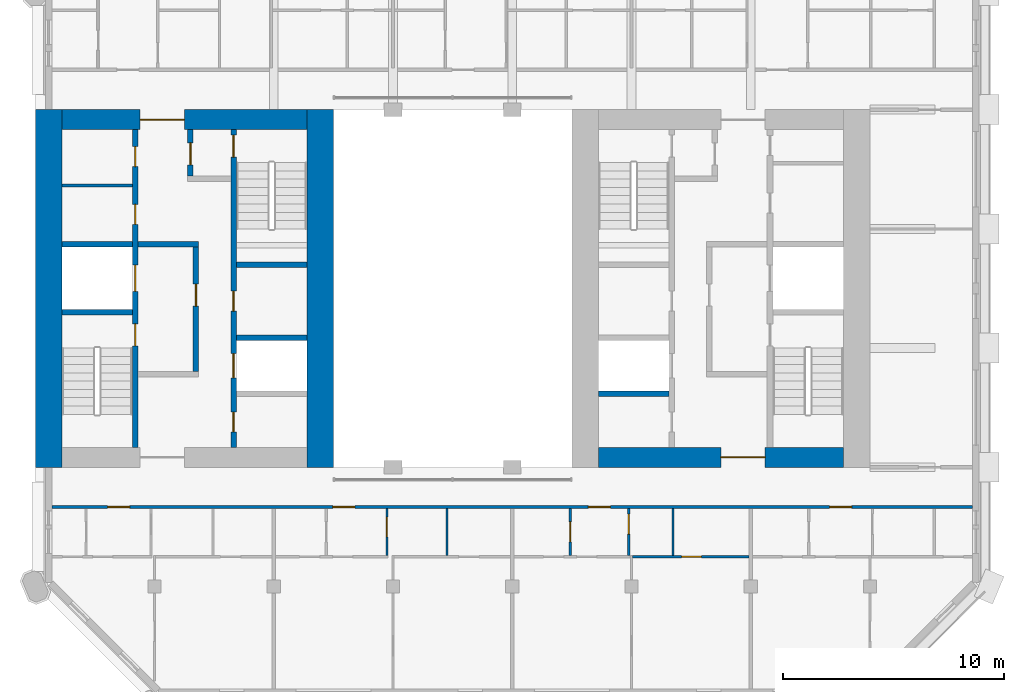
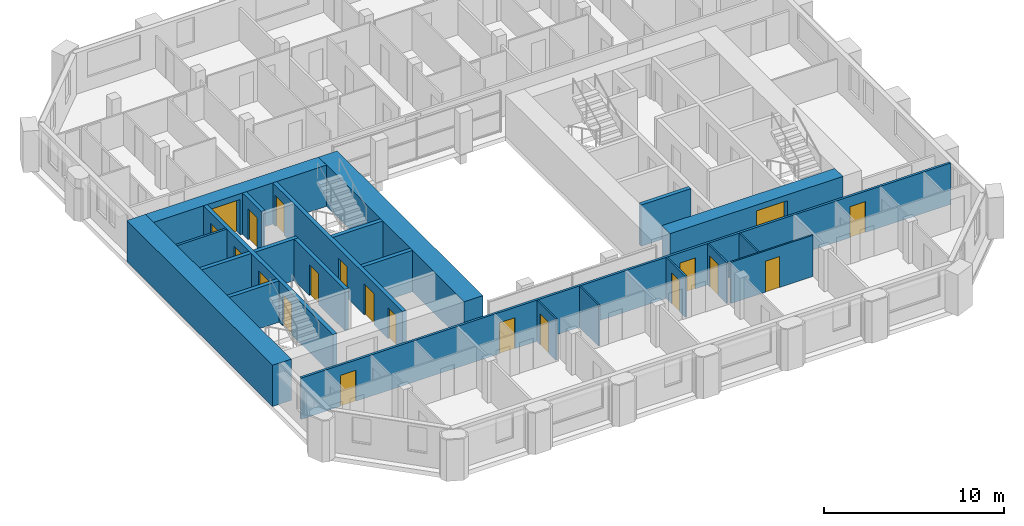
# One storey, part 5 of 13: 22 walls, 20 doors, 20 openings.
"""IFC4 building model written with IfcOpenShell, lengths in metres."""

from ifc_helpers import new_model, si_unit, direction, frame, frame_2d, origin, place, context, subcontext, project, spatial, rectangle, extrude, material, layer, layer_set, type_object, element, fill, save


model = new_model("IFC4")

# Units and contexts
model_context = context("Model", 3, precision=1e-05, world=origin(), true_north=direction((0.0, 1.0)))
body_context = subcontext(model_context, "Body", "Model", "MODEL_VIEW")
ifc_project = project(units=[si_unit("LENGTHUNIT", "METRE"), si_unit("AREAUNIT", "SQUARE_METRE"), si_unit("VOLUMEUNIT", "CUBIC_METRE"), si_unit("PLANEANGLEUNIT", "RADIAN"), si_unit("MASSUNIT", "GRAM", prefix="KILO")], contexts=[model_context])

# Site, building, storey
site_placement = place(None, origin())
site = spatial("IfcSite", under=ifc_project, at=site_placement, CompositionType="ELEMENT")
building_placement = place(site_placement, origin())
building = spatial("IfcBuilding", under=site, at=building_placement, Name="Tabaq Tower and Sports Hall", CompositionType="ELEMENT")
storey_placement = place(building_placement, frame((0.0, 0.0, 304.89990234375)))
storey = spatial("IfcBuildingStorey", under=building, at=storey_placement, Name="L76", CompositionType="ELEMENT", Elevation=304.89990234375)

# Walls
ifc_material_1 = material(Name="Blockwork", Category="masonry")
ifc_layer_1 = layer(ifc_material_1, 0.14990234375)
ifc_layer_set_1 = layer_set([ifc_layer_1], Name="Core room partition 150 Blockwork")
wall_type_1 = type_object("IfcWallType", Name="Core room partition 150 Blockwork", PredefinedType="PARTITIONING", material=ifc_layer_set_1)
wall_1_placement = place(storey_placement, frame((6.60009765625, 28.962890625, 0.0), z_axis=(0.0, 0.0, 1.0), x_axis=(1.0, 0.0, 0.0)))
element("IfcWall", 1, at=wall_1_placement, inside=storey, type_object=wall_type_1, Name="Core room partition W L76", PredefinedType="PARTITIONING", context=body_context, shape_type="SweptSolid", body=[
    extrude(rectangle(XDim=3.199951171875, YDim=0.14990234375, at=frame_2d((1.60009765625, 0.0))), origin(), (0.0, 0.0, 1.0), 2.800048828125),
])
ifc_material_2 = material(Name="Concrete C40/50", Category="concrete")
ifc_layer_2 = layer(ifc_material_2, 1.199951171875)
ifc_layer_set_2 = layer_set([ifc_layer_2], Name="Core wall 1200 Concrete C40/50")
wall_type_2 = type_object("IfcWallType", Name="Core wall 1200 Concrete C40/50", PredefinedType="SOLIDWALL", material=ifc_layer_set_2)
for number, where, z_axis, x_axis, name in (
    (2, (6.0, 16.199951171875, 0.0), (0.0, 0.0, 1.0), (0.0, 1.0, 0.0), "Core wall W L76"),
    (3, (18.300048828125, 32.39990234375, 0.0), (0.0, 0.0, 1.0), (0.0, -1.0, 0.0), "Core wall W L76"),
):
    element("IfcWall", number, at=place(storey_placement, frame(where, z_axis=z_axis, x_axis=x_axis)), inside=storey, type_object=wall_type_2, Name=name, PredefinedType="SOLIDWALL", context=body_context, shape_type="SweptSolid", body=[
        extrude(rectangle(XDim=16.199951171875, YDim=1.199951171875, at=frame_2d((8.10009765625, 0.0))), origin(), (0.0, 0.0, 1.0), 2.800048828125),
    ])

# Wall, opening, door
ifc_material_3 = material(Name="Concrete C40/50", Category="concrete")
ifc_layer_3 = layer(ifc_material_3, 0.89990234375)
ifc_layer_set_3 = layer_set([ifc_layer_3], Name="Core wall 900 Concrete C40/50")
wall_type_3 = type_object("IfcWallType", Name="Core wall 900 Concrete C40/50", PredefinedType="SOLIDWALL", material=ifc_layer_set_3)
wall_2_placement = place(storey_placement, frame((6.60009765625, 31.949951171875, 0.0), z_axis=(0.0, 0.0, 1.0), x_axis=(1.0, 0.0, 0.0)))
wall_2 = element("IfcWall", 4, at=wall_2_placement, inside=storey, type_object=wall_type_3, Name="Core wall W L76", PredefinedType="SOLIDWALL", context=body_context, shape_type="SweptSolid", body=[
    extrude(rectangle(XDim=11.099853515625, YDim=0.89990234375, at=frame_2d((5.5498046875, 0.0))), origin(), (0.0, 0.0, 1.0), 2.800048828125),
])
opening_1_placement = place(wall_2_placement, frame((3.550048828125, 0.0, 0.0)))
opening_1 = element("IfcOpeningElement", 5, at=opening_1_placement, cuts=wall_2, Name="Opening PD-WL76-02", PredefinedType="OPENING", context=body_context, shape_type="SweptSolid", body=[
    extrude(rectangle(XDim=2.0, YDim=2.39990234375, at=frame_2d((1.0, 1.199951171875))), frame((0.0, 0.449951171875, 0.0), z_axis=(0.0, -1.0, 0.0), x_axis=(1.0, 0.0, 0.0)), (0.0, 0.0, 1.0), 0.89990234375),
])
ifc_material_4 = material(Name="Steel fire door", Category="steel")
door_type_1 = type_object("IfcDoorType", Name="Core entrance door 2000", OperationType="DOUBLE_DOOR_SINGLE_SWING", PredefinedType="DOOR", material=ifc_material_4)
door_1_placement = place(opening_1_placement, origin())
door_1 = element("IfcDoor", 6, at=door_1_placement, inside=storey, type_object=door_type_1, Name="Core entrance north W L76", OperationType="DOUBLE_DOOR_SINGLE_SWING", OverallHeight=2.39990234375, OverallWidth=2.0, PredefinedType="DOOR", context=body_context, shape_type="SweptSolid", body=[
    extrude(rectangle(XDim=2.0, YDim=2.39990234375, at=frame_2d((1.0, 1.199951171875))), frame((0.0, 0.02490234375, 0.0), z_axis=(0.0, -1.0, 0.0), x_axis=(1.0, 0.0, 0.0)), (0.0, 0.0, 1.0), 0.050048828125),
])
fill(opening_1, door_1)

wall_3_placement = place(storey_placement, frame((42.0, 16.64990234375, 0.0), z_axis=(0.0, 0.0, 1.0), x_axis=(-1.0, 0.0, 0.0)))
wall_3 = element("IfcWall", 7, at=wall_3_placement, inside=storey, type_object=wall_type_3, Name="Core wall E L76", PredefinedType="SOLIDWALL", context=body_context, shape_type="SweptSolid", body=[
    extrude(rectangle(XDim=11.10009765625, YDim=0.89990234375, at=frame_2d((5.550048828125, 0.0))), origin(), (0.0, 0.0, 1.0), 2.800048828125),
])
opening_2_placement = place(wall_3_placement, frame((3.550048828125, 0.0, 0.0)))
opening_2 = element("IfcOpeningElement", 8, at=opening_2_placement, cuts=wall_3, Name="Opening PD-EL76-01", PredefinedType="OPENING", context=body_context, shape_type="SweptSolid", body=[
    extrude(rectangle(XDim=2.0, YDim=2.39990234375, at=frame_2d((1.0, 1.199951171875))), frame((0.0, 0.449951171875, 0.0), z_axis=(0.0, -1.0, 0.0), x_axis=(1.0, 0.0, 0.0)), (0.0, 0.0, 1.0), 0.89990234375),
])
door_2_placement = place(opening_2_placement, origin())
door_2 = element("IfcDoor", 9, at=door_2_placement, inside=storey, type_object=door_type_1, Name="Core entrance south E L76", OperationType="DOUBLE_DOOR_SINGLE_SWING", OverallHeight=2.39990234375, OverallWidth=2.0, PredefinedType="DOOR", context=body_context, shape_type="SweptSolid", body=[
    extrude(rectangle(XDim=2.0, YDim=2.39990234375, at=frame_2d((1.0, 1.199951171875))), frame((0.0, 0.02490234375, 0.0), z_axis=(0.0, -1.0, 0.0), x_axis=(1.0, 0.0, 0.0)), (0.0, 0.0, 1.0), 0.050048828125),
])
fill(opening_2, door_2)

ifc_material_5 = material(Name="Gypsum board on steel studs", Category="steel")
ifc_layer_4 = layer(ifc_material_5, 0.10009765625)
ifc_layer_set_4 = layer_set([ifc_layer_4], Name="Partition 100 Gypsum board")
wall_type_4 = type_object("IfcWallType", Name="Partition 100 Gypsum board", PredefinedType="PARTITIONING", material=ifc_layer_set_4)
wall_4_placement = place(storey_placement, frame((21.322021484375, 12.199951171875, 0.0), z_axis=(0.0, 0.0, 1.0), x_axis=(0.0, 1.0, 0.0)))
wall_4 = element("IfcWall", 10, at=wall_4_placement, inside=storey, type_object=wall_type_4, Name="Partition wall L76", PredefinedType="PARTITIONING", context=body_context, shape_type="SweptSolid", body=[
    extrude(rectangle(XDim=2.125, YDim=0.10009765625, at=frame_2d((1.0625, 0.0))), origin(), (0.0, 0.0, 1.0), 2.800048828125),
])
opening_3_placement = place(wall_4_placement, frame((0.843994140625, 0.0, 0.0)))
opening_3 = element("IfcOpeningElement", 11, at=opening_3_placement, cuts=wall_4, Name="Opening L76-022", PredefinedType="OPENING", context=body_context, shape_type="SweptSolid", body=[
    extrude(rectangle(XDim=0.89990234375, YDim=2.10009765625, at=frame_2d((0.449951171875, 1.050048828125))), frame((0.0, 0.050048828125, 0.0), z_axis=(0.0, -1.0, 0.0), x_axis=(1.0, 0.0, 0.0)), (0.0, 0.0, 1.0), 0.10009765625),
])
ifc_material_6 = material(Name="Timber leaf in steel frame", Category="steel")
door_type_2 = type_object("IfcDoorType", Name="Internal door 900 left hand", OperationType="SINGLE_SWING_LEFT", PredefinedType="DOOR", material=ifc_material_6)
door_3_placement = place(opening_3_placement, origin())
door_3 = element("IfcDoor", 12, at=door_3_placement, inside=storey, type_object=door_type_2, Name="Internal door L76-022", OperationType="SINGLE_SWING_LEFT", OverallHeight=2.10009765625, OverallWidth=0.89990234375, PredefinedType="DOOR", context=body_context, shape_type="SweptSolid", body=[
    extrude(rectangle(XDim=0.89990234375, YDim=2.10009765625, at=frame_2d((0.449951171875, 1.050048828125))), frame((0.0, 0.02490234375, 0.0), z_axis=(0.0, -1.0, 0.0), x_axis=(1.0, 0.0, 0.0)), (0.0, 0.0, 1.0), 0.050048828125),
])
fill(opening_3, door_3)

# Wall
wall_5_placement = place(storey_placement, frame((24.050048828125, 12.199951171875, 0.0), z_axis=(0.0, 0.0, 1.0), x_axis=(0.0, 1.0, 0.0)))
element("IfcWall", 13, at=wall_5_placement, inside=storey, type_object=wall_type_4, Name="Partition wall L76", PredefinedType="PARTITIONING", context=body_context, shape_type="SweptSolid", body=[
    extrude(rectangle(XDim=2.125, YDim=0.10009765625, at=frame_2d((1.0625, 0.0))), origin(), (0.0, 0.0, 1.0), 2.800048828125),
])

# Wall, opening, door
wall_6_placement = place(storey_placement, frame((37.72509765625, 12.14990234375, 0.0), z_axis=(0.0, 0.0, 1.0), x_axis=(-1.0, 0.0, 0.0)))
wall_6 = element("IfcWall", 14, at=wall_6_placement, inside=storey, type_object=wall_type_4, Name="Partition wall L76", PredefinedType="PARTITIONING", context=body_context, shape_type="SweptSolid", body=[
    extrude(rectangle(XDim=5.275146484375, YDim=0.10009765625, at=frame_2d((2.6376953125, 0.0))), origin(), (0.0, 0.0, 1.0), 2.800048828125),
])
opening_4_placement = place(wall_6_placement, frame((2.155029296875, 0.0, 0.0)))
opening_4 = element("IfcOpeningElement", 15, at=opening_4_placement, cuts=wall_6, Name="Opening L76-023", PredefinedType="OPENING", context=body_context, shape_type="SweptSolid", body=[
    extrude(rectangle(XDim=0.89990234375, YDim=2.10009765625, at=frame_2d((0.449951171875, 1.050048828125))), frame((0.0, 0.050048828125, 0.0), z_axis=(0.0, -1.0, 0.0), x_axis=(1.0, 0.0, 0.0)), (0.0, 0.0, 1.0), 0.10009765625),
])
door_4_placement = place(opening_4_placement, origin())
door_4 = element("IfcDoor", 16, at=door_4_placement, inside=storey, type_object=door_type_2, Name="Internal door L76-023", OperationType="SINGLE_SWING_LEFT", OverallHeight=2.10009765625, OverallWidth=0.89990234375, PredefinedType="DOOR", context=body_context, shape_type="SweptSolid", body=[
    extrude(rectangle(XDim=0.89990234375, YDim=2.10009765625, at=frame_2d((0.449951171875, 1.050048828125))), frame((0.0, 0.02490234375, 0.0), z_axis=(0.0, -1.0, 0.0), x_axis=(1.0, 0.0, 0.0)), (0.0, 0.0, 1.0), 0.050048828125),
])
fill(opening_4, door_4)

wall_7_placement = place(storey_placement, frame((29.625, 12.199951171875, 0.0), z_axis=(0.0, 0.0, 1.0), x_axis=(0.0, 1.0, 0.0)))
wall_7 = element("IfcWall", 17, at=wall_7_placement, inside=storey, type_object=wall_type_4, Name="Partition wall L76", PredefinedType="PARTITIONING", context=body_context, shape_type="SweptSolid", body=[
    extrude(rectangle(XDim=2.125, YDim=0.10009765625, at=frame_2d((1.0625, 0.0))), origin(), (0.0, 0.0, 1.0), 2.800048828125),
])
opening_5_placement = place(wall_7_placement, frame((0.625, 0.0, 0.0)))
opening_5 = element("IfcOpeningElement", 18, at=opening_5_placement, cuts=wall_7, Name="Opening L76-047", PredefinedType="OPENING", context=body_context, shape_type="SweptSolid", body=[
    extrude(rectangle(XDim=0.89990234375, YDim=2.10009765625, at=frame_2d((0.449951171875, 1.050048828125))), frame((0.0, 0.050048828125, 0.0), z_axis=(0.0, -1.0, 0.0), x_axis=(1.0, 0.0, 0.0)), (0.0, 0.0, 1.0), 0.10009765625),
])
ifc_material_7 = material(Name="Timber leaf in steel frame", Category="steel")
door_type_3 = type_object("IfcDoorType", Name="Internal door 900 right hand", OperationType="SINGLE_SWING_RIGHT", PredefinedType="DOOR", material=ifc_material_7)
door_5_placement = place(opening_5_placement, origin())
door_5 = element("IfcDoor", 19, at=door_5_placement, inside=storey, type_object=door_type_3, Name="Internal door L76-047", OperationType="SINGLE_SWING_RIGHT", OverallHeight=2.10009765625, OverallWidth=0.89990234375, PredefinedType="DOOR", context=body_context, shape_type="SweptSolid", body=[
    extrude(rectangle(XDim=0.89990234375, YDim=2.10009765625, at=frame_2d((0.449951171875, 1.050048828125))), frame((0.0, 0.02490234375, 0.0), z_axis=(0.0, -1.0, 0.0), x_axis=(1.0, 0.0, 0.0)), (0.0, 0.0, 1.0), 0.050048828125),
])
fill(opening_5, door_5)

wall_8_placement = place(storey_placement, frame((32.27490234375, 12.199951171875, 0.0), z_axis=(0.0, 0.0, 1.0), x_axis=(0.0, 1.0, 0.0)))
wall_8 = element("IfcWall", 20, at=wall_8_placement, inside=storey, type_object=wall_type_4, Name="Partition wall L76", PredefinedType="PARTITIONING", context=body_context, shape_type="SweptSolid", body=[
    extrude(rectangle(XDim=2.125, YDim=0.10009765625, at=frame_2d((1.0625, 0.0))), origin(), (0.0, 0.0, 1.0), 2.800048828125),
])
opening_6_placement = place(wall_8_placement, frame((0.97509765625, 0.0, 0.0)))
opening_6 = element("IfcOpeningElement", 21, at=opening_6_placement, cuts=wall_8, Name="Opening L76-024", PredefinedType="OPENING", context=body_context, shape_type="SweptSolid", body=[
    extrude(rectangle(XDim=0.89990234375, YDim=2.10009765625, at=frame_2d((0.449951171875, 1.050048828125))), frame((0.0, 0.050048828125, 0.0), z_axis=(0.0, -1.0, 0.0), x_axis=(1.0, 0.0, 0.0)), (0.0, 0.0, 1.0), 0.10009765625),
])
door_6_placement = place(opening_6_placement, origin())
door_6 = element("IfcDoor", 22, at=door_6_placement, inside=storey, type_object=door_type_3, Name="Internal door L76-024", OperationType="SINGLE_SWING_RIGHT", OverallHeight=2.10009765625, OverallWidth=0.89990234375, PredefinedType="DOOR", context=body_context, shape_type="SweptSolid", body=[
    extrude(rectangle(XDim=0.89990234375, YDim=2.10009765625, at=frame_2d((0.449951171875, 1.050048828125))), frame((0.0, 0.02490234375, 0.0), z_axis=(0.0, -1.0, 0.0), x_axis=(1.0, 0.0, 0.0)), (0.0, 0.0, 1.0), 0.050048828125),
])
fill(opening_6, door_6)

# Wall
wall_9_placement = place(storey_placement, frame((34.285888671875, 12.199951171875, 0.0), z_axis=(0.0, 0.0, 1.0), x_axis=(0.0, 1.0, 0.0)))
element("IfcWall", 23, at=wall_9_placement, inside=storey, type_object=wall_type_4, Name="Partition wall L76", PredefinedType="PARTITIONING", context=body_context, shape_type="SweptSolid", body=[
    extrude(rectangle(XDim=2.125, YDim=0.10009765625, at=frame_2d((1.0625, 0.0))), origin(), (0.0, 0.0, 1.0), 2.800048828125),
])

# Wall, openings, doors
ifc_material_8 = material(Name="Blockwork", Category="masonry")
ifc_layer_5 = layer(ifc_material_8, 0.14990234375)
ifc_layer_set_5 = layer_set([ifc_layer_5], Name="Separating wall 150 Blockwork")
wall_type_5 = type_object("IfcWallType", Name="Separating wall 150 Blockwork", PredefinedType="PARTITIONING", material=ifc_layer_set_5)
wall_10_placement = place(storey_placement, frame((47.84912109375, 14.39990234375, 0.0), z_axis=(0.0, 0.0, 1.0), x_axis=(-1.0, 0.0, 0.0)))
wall_10 = element("IfcWall", 24, at=wall_10_placement, inside=storey, type_object=wall_type_5, Name="Separating wall L76", PredefinedType="PARTITIONING", context=body_context, shape_type="SweptSolid", body=[
    extrude(rectangle(XDim=41.6982421875, YDim=0.14990234375, at=frame_2d((20.84912109375, 0.0))), origin(), (0.0, 0.0, 1.0), 2.800048828125),
])
opening_7_placement = place(wall_10_placement, frame((38.178955078125, 0.0, 0.0)))
opening_7 = element("IfcOpeningElement", 25, at=opening_7_placement, cuts=wall_10, Name="Opening L76-060", PredefinedType="OPENING", context=body_context, shape_type="SweptSolid", body=[
    extrude(rectangle(XDim=1.0, YDim=2.10009765625, at=frame_2d((0.5, 1.050048828125))), frame((0.0, 0.074951171875, 0.0), z_axis=(0.0, -1.0, 0.0), x_axis=(1.0, 0.0, 0.0)), (0.0, 0.0, 1.0), 0.14990234375),
])
opening_8_placement = place(wall_10_placement, frame((27.97705078125, 0.0, 0.0)))
opening_8 = element("IfcOpeningElement", 26, at=opening_8_placement, cuts=wall_10, Name="Opening L76-061", PredefinedType="OPENING", context=body_context, shape_type="SweptSolid", body=[
    extrude(rectangle(XDim=1.0, YDim=2.10009765625, at=frame_2d((0.5, 1.050048828125))), frame((0.0, 0.074951171875, 0.0), z_axis=(0.0, -1.0, 0.0), x_axis=(1.0, 0.0, 0.0)), (0.0, 0.0, 1.0), 0.14990234375),
])
opening_9_placement = place(wall_10_placement, frame((16.39892578125, 0.0, 0.0)))
opening_9 = element("IfcOpeningElement", 27, at=opening_9_placement, cuts=wall_10, Name="Opening L76-062", PredefinedType="OPENING", context=body_context, shape_type="SweptSolid", body=[
    extrude(rectangle(XDim=1.0, YDim=2.10009765625, at=frame_2d((0.5, 1.050048828125))), frame((0.0, 0.074951171875, 0.0), z_axis=(0.0, -1.0, 0.0), x_axis=(1.0, 0.0, 0.0)), (0.0, 0.0, 1.0), 0.14990234375),
])
opening_10_placement = place(wall_10_placement, frame((5.47607421875, 0.0, 0.0)))
opening_10 = element("IfcOpeningElement", 28, at=opening_10_placement, cuts=wall_10, Name="Opening L76-063", PredefinedType="OPENING", context=body_context, shape_type="SweptSolid", body=[
    extrude(rectangle(XDim=1.0, YDim=2.10009765625, at=frame_2d((0.5, 1.050048828125))), frame((0.0, 0.074951171875, 0.0), z_axis=(0.0, -1.0, 0.0), x_axis=(1.0, 0.0, 0.0)), (0.0, 0.0, 1.0), 0.14990234375),
])
ifc_material_9 = material(Name="Steel fire door", Category="steel")
door_type_4 = type_object("IfcDoorType", Name="Entrance door 1000 left hand", OperationType="SINGLE_SWING_LEFT", PredefinedType="DOOR", material=ifc_material_9)
door_7_placement = place(opening_9_placement, origin())
door_7 = element("IfcDoor", 29, at=door_7_placement, inside=storey, type_object=door_type_4, Name="Entrance door L76-062", OperationType="SINGLE_SWING_LEFT", OverallHeight=2.10009765625, OverallWidth=1.0, PredefinedType="DOOR", context=body_context, shape_type="SweptSolid", body=[
    extrude(rectangle(XDim=1.0, YDim=2.10009765625, at=frame_2d((0.5, 1.050048828125))), frame((0.0, 0.02490234375, 0.0), z_axis=(0.0, -1.0, 0.0), x_axis=(1.0, 0.0, 0.0)), (0.0, 0.0, 1.0), 0.050048828125),
])
fill(opening_9, door_7)
door_8_placement = place(opening_10_placement, origin())
door_8 = element("IfcDoor", 30, at=door_8_placement, inside=storey, type_object=door_type_4, Name="Entrance door L76-063", OperationType="SINGLE_SWING_LEFT", OverallHeight=2.10009765625, OverallWidth=1.0, PredefinedType="DOOR", context=body_context, shape_type="SweptSolid", body=[
    extrude(rectangle(XDim=1.0, YDim=2.10009765625, at=frame_2d((0.5, 1.050048828125))), frame((0.0, 0.02490234375, 0.0), z_axis=(0.0, -1.0, 0.0), x_axis=(1.0, 0.0, 0.0)), (0.0, 0.0, 1.0), 0.050048828125),
])
fill(opening_10, door_8)
ifc_material_10 = material(Name="Steel fire door", Category="steel")
door_type_5 = type_object("IfcDoorType", Name="Entrance door 1000 right hand", OperationType="SINGLE_SWING_RIGHT", PredefinedType="DOOR", material=ifc_material_10)
door_9_placement = place(opening_7_placement, origin())
door_9 = element("IfcDoor", 31, at=door_9_placement, inside=storey, type_object=door_type_5, Name="Entrance door L76-060", OperationType="SINGLE_SWING_RIGHT", OverallHeight=2.10009765625, OverallWidth=1.0, PredefinedType="DOOR", context=body_context, shape_type="SweptSolid", body=[
    extrude(rectangle(XDim=1.0, YDim=2.10009765625, at=frame_2d((0.5, 1.050048828125))), frame((0.0, 0.02490234375, 0.0), z_axis=(0.0, -1.0, 0.0), x_axis=(1.0, 0.0, 0.0)), (0.0, 0.0, 1.0), 0.050048828125),
])
fill(opening_7, door_9)
door_10_placement = place(opening_8_placement, origin())
door_10 = element("IfcDoor", 32, at=door_10_placement, inside=storey, type_object=door_type_5, Name="Entrance door L76-061", OperationType="SINGLE_SWING_RIGHT", OverallHeight=2.10009765625, OverallWidth=1.0, PredefinedType="DOOR", context=body_context, shape_type="SweptSolid", body=[
    extrude(rectangle(XDim=1.0, YDim=2.10009765625, at=frame_2d((0.5, 1.050048828125))), frame((0.0, 0.02490234375, 0.0), z_axis=(0.0, -1.0, 0.0), x_axis=(1.0, 0.0, 0.0)), (0.0, 0.0, 1.0), 0.050048828125),
])
fill(opening_8, door_10)

ifc_material_11 = material(Name="Concrete C40/50", Category="concrete")
ifc_layer_6 = layer(ifc_material_11, 0.25)
ifc_layer_set_6 = layer_set([ifc_layer_6], Name="Shaft and stair wall 250 Concrete C40/50")
wall_type_6 = type_object("IfcWallType", Name="Shaft and stair wall 250 Concrete C40/50", PredefinedType="SOLIDWALL", material=ifc_layer_set_6)
wall_11_placement = place(storey_placement, frame((9.925048828125, 17.10009765625, 0.0), z_axis=(0.0, 0.0, 1.0), x_axis=(0.0, 1.0, 0.0)))
wall_11 = element("IfcWall", 33, at=wall_11_placement, inside=storey, type_object=wall_type_6, Name="Shaft wall W L76", PredefinedType="SOLIDWALL", context=body_context, shape_type="SweptSolid", body=[
    extrude(rectangle(XDim=14.39990234375, YDim=0.25, at=frame_2d((7.199951171875, 0.0))), origin(), (0.0, 0.0, 1.0), 2.800048828125),
])
opening_11_placement = place(wall_11_placement, frame((4.60009765625, 0.0, 0.0)))
opening_11 = element("IfcOpeningElement", 34, at=opening_11_placement, cuts=wall_11, Name="Opening SD-WL76-03", PredefinedType="OPENING", context=body_context, shape_type="SweptSolid", body=[
    extrude(rectangle(XDim=1.0, YDim=2.10009765625, at=frame_2d((0.5, 1.050048828125))), frame((0.0, 0.125, 0.0), z_axis=(0.0, -1.0, 0.0), x_axis=(1.0, 0.0, 0.0)), (0.0, 0.0, 1.0), 0.25),
])
opening_12_placement = place(wall_11_placement, frame((7.0625, 0.0, 0.0)))
opening_12 = element("IfcOpeningElement", 35, at=opening_12_placement, cuts=wall_11, Name="Opening LD-FF1-L76", PredefinedType="OPENING", context=body_context, shape_type="SweptSolid", body=[
    extrude(rectangle(XDim=1.199951171875, YDim=2.10009765625, at=frame_2d((0.60009765625, 1.050048828125))), frame((0.0, 0.125, 0.0), z_axis=(0.0, -1.0, 0.0), x_axis=(1.0, 0.0, 0.0)), (0.0, 0.0, 1.0), 0.25),
])
opening_13_placement = place(wall_11_placement, frame((10.1064453125, 0.0, 0.0)))
opening_13 = element("IfcOpeningElement", 36, at=opening_13_placement, cuts=wall_11, Name="Opening RD-WL76-09", PredefinedType="OPENING", context=body_context, shape_type="SweptSolid", body=[
    extrude(rectangle(XDim=0.89990234375, YDim=2.10009765625, at=frame_2d((0.449951171875, 1.050048828125))), frame((0.0, 0.125, 0.0), z_axis=(0.0, -1.0, 0.0), x_axis=(1.0, 0.0, 0.0)), (0.0, 0.0, 1.0), 0.25),
])
opening_14_placement = place(wall_11_placement, frame((12.718994140625, 0.0, 0.0)))
opening_14 = element("IfcOpeningElement", 37, at=opening_14_placement, cuts=wall_11, Name="Opening RD-WL76-10", PredefinedType="OPENING", context=body_context, shape_type="SweptSolid", body=[
    extrude(rectangle(XDim=0.89990234375, YDim=2.10009765625, at=frame_2d((0.449951171875, 1.050048828125))), frame((0.0, 0.125, 0.0), z_axis=(0.0, -1.0, 0.0), x_axis=(1.0, 0.0, 0.0)), (0.0, 0.0, 1.0), 0.25),
])
ifc_material_12 = material(Name="Steel fire door", Category="steel")
door_type_6 = type_object("IfcDoorType", Name="Core room door 900", OperationType="SINGLE_SWING_LEFT", PredefinedType="DOOR", material=ifc_material_12)
door_11_placement = place(opening_13_placement, origin())
door_11 = element("IfcDoor", 38, at=door_11_placement, inside=storey, type_object=door_type_6, Name="Door Electrical Room W L76", OperationType="SINGLE_SWING_LEFT", OverallHeight=2.10009765625, OverallWidth=0.89990234375, PredefinedType="DOOR", context=body_context, shape_type="SweptSolid", body=[
    extrude(rectangle(XDim=0.89990234375, YDim=2.10009765625, at=frame_2d((0.449951171875, 1.050048828125))), frame((0.0, 0.02490234375, 0.0), z_axis=(0.0, -1.0, 0.0), x_axis=(1.0, 0.0, 0.0)), (0.0, 0.0, 1.0), 0.050048828125),
])
fill(opening_13, door_11)
door_12_placement = place(opening_14_placement, origin())
door_12 = element("IfcDoor", 39, at=door_12_placement, inside=storey, type_object=door_type_6, Name="Door Comms Room W L76", OperationType="SINGLE_SWING_LEFT", OverallHeight=2.10009765625, OverallWidth=0.89990234375, PredefinedType="DOOR", context=body_context, shape_type="SweptSolid", body=[
    extrude(rectangle(XDim=0.89990234375, YDim=2.10009765625, at=frame_2d((0.449951171875, 1.050048828125))), frame((0.0, 0.02490234375, 0.0), z_axis=(0.0, -1.0, 0.0), x_axis=(1.0, 0.0, 0.0)), (0.0, 0.0, 1.0), 0.050048828125),
])
fill(opening_14, door_12)
ifc_material_13 = material(Name="Stainless steel", Category="steel")
door_type_7 = type_object("IfcDoorType", Name="Lift landing door 1200", OperationType="DOUBLE_DOOR_SLIDING", PredefinedType="DOOR", material=ifc_material_13)
door_13_placement = place(opening_12_placement, origin())
door_13 = element("IfcDoor", 40, at=door_13_placement, inside=storey, type_object=door_type_7, Name="Lift landing door FF1 W L76", OperationType="DOUBLE_DOOR_SLIDING", OverallHeight=2.10009765625, OverallWidth=1.199951171875, PredefinedType="DOOR", context=body_context, shape_type="SweptSolid", body=[
    extrude(rectangle(XDim=1.199951171875, YDim=2.10009765625, at=frame_2d((0.60009765625, 1.050048828125))), frame((0.0, 0.02490234375, 0.0), z_axis=(0.0, -1.0, 0.0), x_axis=(1.0, 0.0, 0.0)), (0.0, 0.0, 1.0), 0.050048828125),
])
fill(opening_12, door_13)
ifc_material_14 = material(Name="Steel fire door", Category="steel")
door_type_8 = type_object("IfcDoorType", Name="Stair door 1000", OperationType="SINGLE_SWING_LEFT", PredefinedType="DOOR", material=ifc_material_14)
door_14_placement = place(opening_11_placement, origin())
door_14 = element("IfcDoor", 41, at=door_14_placement, inside=storey, type_object=door_type_8, Name="Stair door ST1 W L76", OperationType="SINGLE_SWING_LEFT", OverallHeight=2.10009765625, OverallWidth=1.0, PredefinedType="DOOR", context=body_context, shape_type="SweptSolid", body=[
    extrude(rectangle(XDim=1.0, YDim=2.10009765625, at=frame_2d((0.5, 1.050048828125))), frame((0.0, 0.02490234375, 0.0), z_axis=(0.0, -1.0, 0.0), x_axis=(1.0, 0.0, 0.0)), (0.0, 0.0, 1.0), 0.050048828125),
])
fill(opening_11, door_14)

wall_12_placement = place(storey_placement, frame((14.375, 17.10009765625, 0.0), z_axis=(0.0, 0.0, 1.0), x_axis=(0.0, 1.0, 0.0)))
wall_12 = element("IfcWall", 42, at=wall_12_placement, inside=storey, type_object=wall_type_6, Name="Shaft wall W L76", PredefinedType="SOLIDWALL", context=body_context, shape_type="SweptSolid", body=[
    extrude(rectangle(XDim=14.39990234375, YDim=0.25, at=frame_2d((7.199951171875, 0.0))), origin(), (0.0, 0.0, 1.0), 2.800048828125),
])
opening_15_placement = place(wall_12_placement, frame((13.14990234375, 0.0, 0.0)))
opening_15 = element("IfcOpeningElement", 43, at=opening_15_placement, cuts=wall_12, Name="Opening SD-WL76-05", PredefinedType="OPENING", context=body_context, shape_type="SweptSolid", body=[
    extrude(rectangle(XDim=1.0, YDim=2.10009765625, at=frame_2d((0.5, 1.050048828125))), frame((0.0, 0.125, 0.0), z_axis=(0.0, -1.0, 0.0), x_axis=(1.0, 0.0, 0.0)), (0.0, 0.0, 1.0), 0.25),
])
opening_16_placement = place(wall_12_placement, frame((3.14990234375, 0.0, 0.0)))
opening_16 = element("IfcOpeningElement", 44, at=opening_16_placement, cuts=wall_12, Name="Opening LD-HR1-L76", PredefinedType="OPENING", context=body_context, shape_type="SweptSolid", body=[
    extrude(rectangle(XDim=1.10009765625, YDim=2.10009765625, at=frame_2d((0.550048828125, 1.050048828125))), frame((0.0, 0.125, 0.0), z_axis=(0.0, -1.0, 0.0), x_axis=(1.0, 0.0, 0.0)), (0.0, 0.0, 1.0), 0.25),
])
opening_17_placement = place(wall_12_placement, frame((0.699951171875, 0.0, 0.0)))
opening_17 = element("IfcOpeningElement", 45, at=opening_17_placement, cuts=wall_12, Name="Opening RD-WL76-11", PredefinedType="OPENING", context=body_context, shape_type="SweptSolid", body=[
    extrude(rectangle(XDim=0.89990234375, YDim=2.10009765625, at=frame_2d((0.449951171875, 1.050048828125))), frame((0.0, 0.125, 0.0), z_axis=(0.0, -1.0, 0.0), x_axis=(1.0, 0.0, 0.0)), (0.0, 0.0, 1.0), 0.25),
])
opening_18_placement = place(wall_12_placement, frame((6.175048828125, 0.0, 0.0)))
opening_18 = element("IfcOpeningElement", 46, at=opening_18_placement, cuts=wall_12, Name="Opening RD-WL76-12", PredefinedType="OPENING", context=body_context, shape_type="SweptSolid", body=[
    extrude(rectangle(XDim=0.89990234375, YDim=2.10009765625, at=frame_2d((0.449951171875, 1.050048828125))), frame((0.0, 0.125, 0.0), z_axis=(0.0, -1.0, 0.0), x_axis=(1.0, 0.0, 0.0)), (0.0, 0.0, 1.0), 0.25),
])
door_15_placement = place(opening_17_placement, origin())
door_15 = element("IfcDoor", 47, at=door_15_placement, inside=storey, type_object=door_type_6, Name="Door Electrical Riser Room W L76", OperationType="SINGLE_SWING_LEFT", OverallHeight=2.10009765625, OverallWidth=0.89990234375, PredefinedType="DOOR", context=body_context, shape_type="SweptSolid", body=[
    extrude(rectangle(XDim=0.89990234375, YDim=2.10009765625, at=frame_2d((0.449951171875, 1.050048828125))), frame((0.0, 0.02490234375, 0.0), z_axis=(0.0, -1.0, 0.0), x_axis=(1.0, 0.0, 0.0)), (0.0, 0.0, 1.0), 0.050048828125),
])
fill(opening_17, door_15)
door_16_placement = place(opening_18_placement, origin())
door_16 = element("IfcDoor", 48, at=door_16_placement, inside=storey, type_object=door_type_6, Name="Door Riser Room W L76", OperationType="SINGLE_SWING_LEFT", OverallHeight=2.10009765625, OverallWidth=0.89990234375, PredefinedType="DOOR", context=body_context, shape_type="SweptSolid", body=[
    extrude(rectangle(XDim=0.89990234375, YDim=2.10009765625, at=frame_2d((0.449951171875, 1.050048828125))), frame((0.0, 0.02490234375, 0.0), z_axis=(0.0, -1.0, 0.0), x_axis=(1.0, 0.0, 0.0)), (0.0, 0.0, 1.0), 0.050048828125),
])
fill(opening_18, door_16)
ifc_material_15 = material(Name="Stainless steel", Category="steel")
door_type_9 = type_object("IfcDoorType", Name="Lift landing door 1100", OperationType="DOUBLE_DOOR_SLIDING", PredefinedType="DOOR", material=ifc_material_15)
door_17_placement = place(opening_16_placement, origin())
door_17 = element("IfcDoor", 49, at=door_17_placement, inside=storey, type_object=door_type_9, Name="Lift landing door HR1 W L76", OperationType="DOUBLE_DOOR_SLIDING", OverallHeight=2.10009765625, OverallWidth=1.10009765625, PredefinedType="DOOR", context=body_context, shape_type="SweptSolid", body=[
    extrude(rectangle(XDim=1.10009765625, YDim=2.10009765625, at=frame_2d((0.550048828125, 1.050048828125))), frame((0.0, 0.02490234375, 0.0), z_axis=(0.0, -1.0, 0.0), x_axis=(1.0, 0.0, 0.0)), (0.0, 0.0, 1.0), 0.050048828125),
])
fill(opening_16, door_17)
door_18_placement = place(opening_15_placement, origin())
door_18 = element("IfcDoor", 50, at=door_18_placement, inside=storey, type_object=door_type_8, Name="Stair door ST2 W L76", OperationType="SINGLE_SWING_LEFT", OverallHeight=2.10009765625, OverallWidth=1.0, PredefinedType="DOOR", context=body_context, shape_type="SweptSolid", body=[
    extrude(rectangle(XDim=1.0, YDim=2.10009765625, at=frame_2d((0.5, 1.050048828125))), frame((0.0, 0.02490234375, 0.0), z_axis=(0.0, -1.0, 0.0), x_axis=(1.0, 0.0, 0.0)), (0.0, 0.0, 1.0), 0.050048828125),
])
fill(opening_15, door_18)

# Walls
for number, where, z_axis, x_axis, name in (
    (51, (6.60009765625, 23.22509765625, 0.0), (0.0, 0.0, 1.0), (1.0, 0.0, 0.0), "Stair enclosure wall W L76"),
    (52, (14.5, 25.375, 0.0), (0.0, 0.0, 1.0), (1.0, 0.0, 0.0), "Stair enclosure wall W L76"),
    (53, (14.5, 22.074951171875, 0.0), (0.0, 0.0, 1.0), (1.0, 0.0, 0.0), "Shaft wall W L76"),
    (54, (6.60009765625, 26.300048828125, 0.0), (0.0, 0.0, 1.0), (1.0, 0.0, 0.0), "Shaft wall W L76"),
):
    element("IfcWall", number, at=place(storey_placement, frame(where, z_axis=z_axis, x_axis=x_axis)), inside=storey, type_object=wall_type_6, Name=name, PredefinedType="SOLIDWALL", context=body_context, shape_type="SweptSolid", body=[
        extrude(rectangle(XDim=3.199951171875, YDim=0.25, at=frame_2d((1.60009765625, 0.0))), origin(), (0.0, 0.0, 1.0), 2.800048828125),
    ])
wall_13_placement = place(storey_placement, frame((10.050048828125, 26.300048828125, 0.0), z_axis=(0.0, 0.0, 1.0), x_axis=(1.0, 0.0, 0.0)))
element("IfcWall", 55, at=wall_13_placement, inside=storey, type_object=wall_type_6, Name="Fire-fighting lobby wall W L76", PredefinedType="SOLIDWALL", context=body_context, shape_type="SweptSolid", body=[
    extrude(rectangle(XDim=2.75, YDim=0.25, at=frame_2d((1.375, 0.0))), origin(), (0.0, 0.0, 1.0), 2.800048828125),
])

# Wall, opening, door
wall_14_placement = place(storey_placement, frame((12.425048828125, 29.39990234375, 0.0), z_axis=(0.0, 0.0, 1.0), x_axis=(0.0, 1.0, 0.0)))
wall_14 = element("IfcWall", 56, at=wall_14_placement, inside=storey, type_object=wall_type_6, Name="Fire-fighting lobby wall W L76", PredefinedType="SOLIDWALL", context=body_context, shape_type="SweptSolid", body=[
    extrude(rectangle(XDim=2.10009765625, YDim=0.25, at=frame_2d((1.050048828125, 0.0))), origin(), (0.0, 0.0, 1.0), 2.800048828125),
])
opening_19_placement = place(wall_14_placement, frame((0.5, 0.0, 0.0)))
opening_19 = element("IfcOpeningElement", 57, at=opening_19_placement, cuts=wall_14, Name="Opening FD-WL76-06", PredefinedType="OPENING", context=body_context, shape_type="SweptSolid", body=[
    extrude(rectangle(XDim=1.0, YDim=2.10009765625, at=frame_2d((0.5, 1.050048828125))), frame((0.0, 0.125, 0.0), z_axis=(0.0, -1.0, 0.0), x_axis=(1.0, 0.0, 0.0)), (0.0, 0.0, 1.0), 0.25),
])
ifc_material_16 = material(Name="Steel fire door", Category="steel")
door_type_10 = type_object("IfcDoorType", Name="Fire-fighting lobby door 1000", OperationType="SINGLE_SWING_LEFT", PredefinedType="DOOR", material=ifc_material_16)
door_19_placement = place(opening_19_placement, origin())
door_19 = element("IfcDoor", 58, at=door_19_placement, inside=storey, type_object=door_type_10, Name="Stair lobby door W L76", OperationType="SINGLE_SWING_LEFT", OverallHeight=2.10009765625, OverallWidth=1.0, PredefinedType="DOOR", context=body_context, shape_type="SweptSolid", body=[
    extrude(rectangle(XDim=1.0, YDim=2.10009765625, at=frame_2d((0.5, 1.050048828125))), frame((0.0, 0.02490234375, 0.0), z_axis=(0.0, -1.0, 0.0), x_axis=(1.0, 0.0, 0.0)), (0.0, 0.0, 1.0), 0.050048828125),
])
fill(opening_19, door_19)

wall_15_placement = place(storey_placement, frame((12.675048828125, 20.550048828125, 0.0), z_axis=(0.0, 0.0, 1.0), x_axis=(0.0, 1.0, 0.0)))
wall_15 = element("IfcWall", 59, at=wall_15_placement, inside=storey, type_object=wall_type_6, Name="Fire-fighting lobby wall W L76", PredefinedType="SOLIDWALL", context=body_context, shape_type="SweptSolid", body=[
    extrude(rectangle(XDim=5.625, YDim=0.25, at=frame_2d((2.8125, 0.0))), origin(), (0.0, 0.0, 1.0), 2.800048828125),
])
opening_20_placement = place(wall_15_placement, frame((2.949951171875, 0.0, 0.0)))
opening_20 = element("IfcOpeningElement", 60, at=opening_20_placement, cuts=wall_15, Name="Opening FD-WL76-04", PredefinedType="OPENING", context=body_context, shape_type="SweptSolid", body=[
    extrude(rectangle(XDim=1.0, YDim=2.10009765625, at=frame_2d((0.5, 1.050048828125))), frame((0.0, 0.125, 0.0), z_axis=(0.0, -1.0, 0.0), x_axis=(1.0, 0.0, 0.0)), (0.0, 0.0, 1.0), 0.25),
])
door_20_placement = place(opening_20_placement, origin())
door_20 = element("IfcDoor", 61, at=door_20_placement, inside=storey, type_object=door_type_10, Name="Fire-fighting lobby door W L76", OperationType="SINGLE_SWING_LEFT", OverallHeight=2.10009765625, OverallWidth=1.0, PredefinedType="DOOR", context=body_context, shape_type="SweptSolid", body=[
    extrude(rectangle(XDim=1.0, YDim=2.10009765625, at=frame_2d((0.5, 1.050048828125))), frame((0.0, 0.02490234375, 0.0), z_axis=(0.0, -1.0, 0.0), x_axis=(1.0, 0.0, 0.0)), (0.0, 0.0, 1.0), 0.050048828125),
])
fill(opening_20, door_20)

# Wall
wall_16_placement = place(storey_placement, frame((30.89990234375, 19.52490234375, 0.0), z_axis=(0.0, 0.0, 1.0), x_axis=(1.0, 0.0, 0.0)))
element("IfcWall", 62, at=wall_16_placement, inside=storey, type_object=wall_type_6, Name="Shaft wall E L76", PredefinedType="SOLIDWALL", context=body_context, shape_type="SweptSolid", body=[
    extrude(rectangle(XDim=3.2001953125, YDim=0.25, at=frame_2d((1.60009765625, 0.0))), origin(), (0.0, 0.0, 1.0), 2.800048828125),
])

save(model, "model.ifc")
